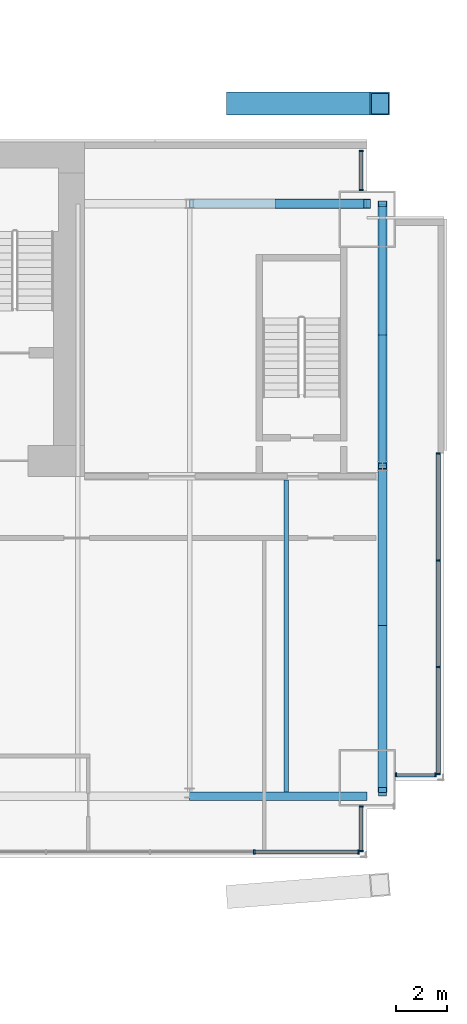
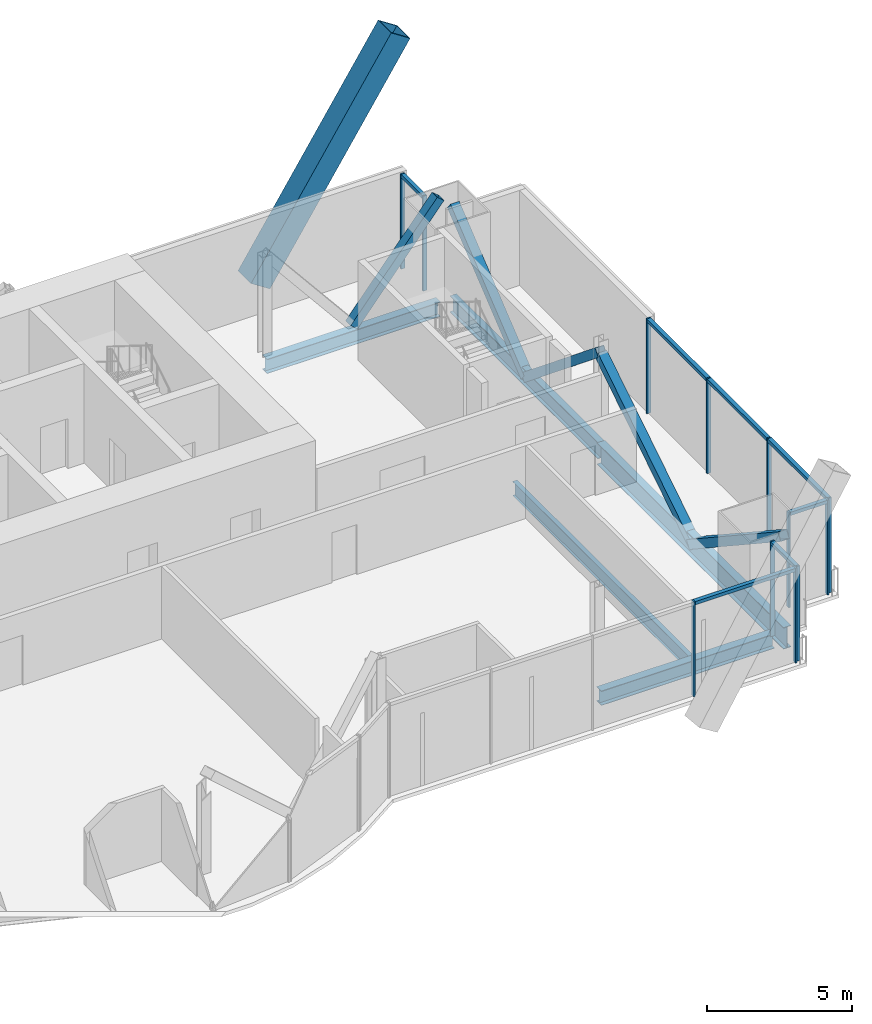
# One storey, part 11 of 19: 25 members, 5 beams, 5 elements without a shape of their own.
"""IFC4 building model written with IfcOpenShell, lengths in metres."""

from ifc_helpers import new_model, si_unit, direction, frame, origin, origin_2d, place, context, subcontext, project, spatial, rectangle, hollow_rectangle, i_section, extrude, material, material_profile, profile_set, type_object, element, aggregate, save


model = new_model("IFC4")

# Units and contexts
model_context = context("Model", 3, precision=1e-05, world=origin(), true_north=direction((0.0, 1.0)))
body_context = subcontext(model_context, "Body", "Model", "MODEL_VIEW")
ifc_project = project(units=[si_unit("LENGTHUNIT", "METRE"), si_unit("AREAUNIT", "SQUARE_METRE"), si_unit("VOLUMEUNIT", "CUBIC_METRE"), si_unit("PLANEANGLEUNIT", "RADIAN"), si_unit("MASSUNIT", "GRAM", prefix="KILO")], contexts=[model_context])

# Site, building, storey
site_placement = place(None, origin())
site = spatial("IfcSite", under=ifc_project, at=site_placement, CompositionType="ELEMENT")
building_placement = place(site_placement, origin())
building = spatial("IfcBuilding", under=site, at=building_placement, Name="Bicima Exchange Tower", CompositionType="ELEMENT")
storey_placement = place(building_placement, frame((0.0, 0.0, 283.39990234375)))
storey = spatial("IfcBuildingStorey", under=building, at=storey_placement, Name="L64", CompositionType="ELEMENT", Elevation=283.39990234375)

# Curtain wall, members
ifc_material_1 = material(Name="Anodised bronze aluminium", Category="aluminium")
curtain_wall_type_1 = type_object("IfcCurtainWallType", Name="End face glass wall", PredefinedType="NOTDEFINED", material=ifc_material_1)
curtain_wall_1_placement = place(storey_placement, origin())
curtain_wall_1 = element("IfcCurtainWall", 1, at=curtain_wall_1_placement, inside=storey, type_object=curtain_wall_type_1, Name="End face glass wall L64 run 19", PredefinedType="NOTDEFINED")
ifc_material_profile_1 = material_profile(ifc_material_1, rectangle(XDim=0.159912109375, YDim=0.06005859375, at=origin_2d()))
ifc_profile_set_1 = profile_set([ifc_material_profile_1], Name="Anodised bronze aluminium")
member_type_1 = type_object("IfcMemberType", Name="End face glass wall mullion 60 x 160", PredefinedType="MULLION", material=ifc_profile_set_1)
member_1_placement = place(storey_placement, frame((35.77001953125, -24.587890625, 0.0), z_axis=(0.0, 0.0, 1.0), x_axis=(-1.0, 0.0, 0.0)))
member_1 = element("IfcMember", 2, at=member_1_placement, type_object=member_type_1, Name="End face glass wall mullion 1", PredefinedType="MULLION", context=body_context, shape_type="SweptSolid", body=[
    extrude(rectangle(XDim=0.159912109375, YDim=0.06005859375, at=origin_2d()), origin(), (0.0, 0.0, 1.0), 4.0),
])
member_2_placement = place(storey_placement, frame((35.77001953125, -20.4287109375, 0.0), z_axis=(0.0, 0.0, 1.0), x_axis=(-1.0, 0.0, 0.0)))
member_2 = element("IfcMember", 3, at=member_2_placement, type_object=member_type_1, Name="End face glass wall mullion 2", PredefinedType="MULLION", context=body_context, shape_type="SweptSolid", body=[
    extrude(rectangle(XDim=0.159912109375, YDim=0.06005859375, at=origin_2d()), origin(), (0.0, 0.0, 1.0), 4.0),
])
member_3_placement = place(storey_placement, frame((35.77001953125, -16.269287109375, 0.0), z_axis=(0.0, 0.0, 1.0), x_axis=(-1.0, 0.0, 0.0)))
member_3 = element("IfcMember", 4, at=member_3_placement, type_object=member_type_1, Name="End face glass wall mullion 3", PredefinedType="MULLION", context=body_context, shape_type="SweptSolid", body=[
    extrude(rectangle(XDim=0.159912109375, YDim=0.06005859375, at=origin_2d()), origin(), (0.0, 0.0, 1.0), 4.0),
])
member_4_placement = place(storey_placement, frame((35.77001953125, -12.110107421875, 0.0), z_axis=(0.0, 0.0, 1.0), x_axis=(-1.0, 0.0, 0.0)))
member_4 = element("IfcMember", 5, at=member_4_placement, type_object=member_type_1, Name="End face glass wall mullion 4", PredefinedType="MULLION", context=body_context, shape_type="SweptSolid", body=[
    extrude(rectangle(XDim=0.159912109375, YDim=0.06005859375, at=origin_2d()), origin(), (0.0, 0.0, 1.0), 4.0),
])
ifc_material_profile_2 = material_profile(ifc_material_1, rectangle(XDim=0.159912109375, YDim=0.139892578125, at=origin_2d()))
ifc_profile_set_2 = profile_set([ifc_material_profile_2], Name="Anodised bronze aluminium")
member_type_2 = type_object("IfcMemberType", Name="End face glass wall transom 140 x 160", PredefinedType="USERDEFINED", material=ifc_profile_set_2)
member_5_placement = place(storey_placement, frame((35.77001953125, -24.55810546875, 3.93017578125), z_axis=(0.0, 1.0, 0.0), x_axis=(-1.0, 0.0, 0.0)))
member_5 = element("IfcMember", 6, at=member_5_placement, type_object=member_type_2, Name="End face glass wall transom 1.1", ObjectType="TRANSOM", PredefinedType="USERDEFINED", context=body_context, shape_type="SweptSolid", body=[
    extrude(rectangle(XDim=0.159912109375, YDim=0.139892578125, at=origin_2d()), origin(), (0.0, 0.0, 1.0), 4.099365234375),
])
member_6_placement = place(storey_placement, frame((35.77001953125, -20.398681640625, 3.93017578125), z_axis=(0.0, 1.0, 0.0), x_axis=(-1.0, 0.0, 0.0)))
member_6 = element("IfcMember", 7, at=member_6_placement, type_object=member_type_2, Name="End face glass wall transom 2.1", ObjectType="TRANSOM", PredefinedType="USERDEFINED", context=body_context, shape_type="SweptSolid", body=[
    extrude(rectangle(XDim=0.159912109375, YDim=0.139892578125, at=origin_2d()), origin(), (0.0, 0.0, 1.0), 4.099365234375),
])
member_7_placement = place(storey_placement, frame((35.77001953125, -16.2392578125, 3.93017578125), z_axis=(0.0, 1.0, 0.0), x_axis=(-1.0, 0.0, 0.0)))
member_7 = element("IfcMember", 8, at=member_7_placement, type_object=member_type_2, Name="End face glass wall transom 3.1", ObjectType="TRANSOM", PredefinedType="USERDEFINED", context=body_context, shape_type="SweptSolid", body=[
    extrude(rectangle(XDim=0.159912109375, YDim=0.139892578125, at=origin_2d()), origin(), (0.0, 0.0, 1.0), 4.099365234375),
])
aggregate(curtain_wall_1, [member_1, member_2, member_3, member_4, member_5, member_6, member_7])

# Beams
ifc_material_2 = material(Name="Steel ASTM A992 Gr 50", Category="steel")
ifc_material_profile_3 = material_profile(ifc_material_2, i_section(OverallWidth=0.256591796875, OverallDepth=0.693359375, WebThickness=0.014404296875, FlangeThickness=0.023681640625, at=origin_2d()))
ifc_profile_set_3 = profile_set([ifc_material_profile_3], Name="Steel ASTM A992 Gr 50")
beam_type_1 = type_object("IfcBeamType", Name="End girder W27x114", PredefinedType="BEAM", material=ifc_profile_set_3)
beam_1_placement = place(storey_placement, frame((33.60009765625, -2.39990234375, -0.49658203125), z_axis=(0.0, -1.0, 0.0), x_axis=(1.0, 0.0, 0.0)))
element("IfcBeam", 9, at=beam_1_placement, inside=storey, type_object=beam_type_1, Name="End girder", PredefinedType="BEAM", context=body_context, shape_type="SweptSolid", body=[
    extrude(i_section(OverallWidth=0.256591796875, OverallDepth=0.693359375, WebThickness=0.014404296875, FlangeThickness=0.023681640625, at=origin_2d()), origin(), (0.0, 0.0, 1.0), 10.2001953125),
])
ifc_material_profile_4 = material_profile(ifc_material_2, i_section(OverallWidth=0.3046875, OverallDepth=0.911865234375, WebThickness=0.015869140625, FlangeThickness=0.02392578125, at=origin_2d()))
ifc_profile_set_4 = profile_set([ifc_material_profile_4], Name="Steel ASTM A992 Gr 50")
beam_type_2 = type_object("IfcBeamType", Name="End girder W36x150", PredefinedType="BEAM", material=ifc_profile_set_4)
beam_2_placement = place(storey_placement, frame((33.60009765625, -12.60009765625, -0.605712890625), z_axis=(0.0, -1.0, 0.0), x_axis=(1.0, 0.0, 0.0)))
element("IfcBeam", 10, at=beam_2_placement, inside=storey, type_object=beam_type_2, Name="End girder", PredefinedType="BEAM", context=body_context, shape_type="SweptSolid", body=[
    extrude(i_section(OverallWidth=0.3046875, OverallDepth=0.911865234375, WebThickness=0.015869140625, FlangeThickness=0.02392578125, at=origin_2d()), origin(), (0.0, 0.0, 1.0), 12.847900390625),
])

# Member
ifc_material_3 = material(Name="Steel ASTM A572 Gr 50", Category="steel")
ifc_material_profile_5 = material_profile(ifc_material_3, hollow_rectangle(XDim=0.89990234375, YDim=0.89990234375, WallThickness=0.050048828125, at=origin_2d()))
ifc_profile_set_5 = profile_set([ifc_material_profile_5], Name="Steel ASTM A572 Gr 50")
member_type_3 = type_object("IfcMemberType", Name="Exo mega brace BOX 900x900x50", PredefinedType="BRACE", material=ifc_profile_set_5)
member_8_placement = place(storey_placement, frame((27.916748046875, 1.5, 0.10009765625), z_axis=(0.544521263137, 0.0, 0.838747038142), x_axis=(0.0, 1.0, 0.0)))
element("IfcMember", 11, at=member_8_placement, inside=storey, type_object=member_type_3, Name="Exo mega brace rear", PredefinedType="BRACE", context=body_context, shape_type="SweptSolid", body=[
    extrude(hollow_rectangle(XDim=0.89990234375, YDim=0.89990234375, WallThickness=0.050048828125, at=origin_2d()), origin(), (0.0, 0.0, 1.0), 10.25341796875),
])

# Beams
ifc_material_profile_6 = material_profile(ifc_material_2, i_section(OverallWidth=0.177978515625, OverallDepth=0.599365234375, WebThickness=0.010009765625, FlangeThickness=0.012939453125, at=origin_2d()))
ifc_profile_set_6 = profile_set([ifc_material_profile_6], Name="Steel ASTM A992 Gr 50")
beam_type_3 = type_object("IfcBeamType", Name="Floor beam W24x55", PredefinedType="JOIST", material=ifc_profile_set_6)
beam_3_placement = place(storey_placement, frame((29.85009765625, -13.15234375, -0.44970703125), z_axis=(0.0, -1.0, 0.0), x_axis=(1.0, 0.0, 0.0)))
element("IfcBeam", 12, at=beam_3_placement, inside=storey, type_object=beam_type_3, Name="Floor beam", PredefinedType="JOIST", context=body_context, shape_type="SweptSolid", body=[
    extrude(i_section(OverallWidth=0.177978515625, OverallDepth=0.599365234375, WebThickness=0.010009765625, FlangeThickness=0.012939453125, at=origin_2d()), origin(), (0.0, 0.0, 1.0), 12.133056640625),
])
ifc_material_profile_7 = material_profile(ifc_material_2, i_section(OverallWidth=0.3251953125, OverallDepth=0.612060546875, WebThickness=0.0126953125, FlangeThickness=0.01904296875, at=origin_2d()))
ifc_profile_set_7 = profile_set([ifc_material_profile_7], Name="Steel ASTM A992 Gr 50")
beam_type_4 = type_object("IfcBeamType", Name="Front girder W24x104", PredefinedType="BEAM", material=ifc_profile_set_7)
beam_4_placement = place(storey_placement, frame((26.10009765625, -25.447998046875, -0.4560546875), z_axis=(1.0, 0.0, 0.0), x_axis=(0.0, 1.0, 0.0)))
element("IfcBeam", 13, at=beam_4_placement, inside=storey, type_object=beam_type_4, Name="Front girder", PredefinedType="BEAM", context=body_context, shape_type="SweptSolid", body=[
    extrude(i_section(OverallWidth=0.3251953125, OverallDepth=0.612060546875, WebThickness=0.0126953125, FlangeThickness=0.01904296875, at=origin_2d()), origin(), (0.0, 0.0, 1.0), 6.89990234375),
])

# Curtain wall, members
curtain_wall_type_2 = type_object("IfcCurtainWallType", Name="Front glass wall", PredefinedType="NOTDEFINED", material=ifc_material_1)
curtain_wall_2_placement = place(storey_placement, origin())
curtain_wall_2 = element("IfcCurtainWall", 14, at=curtain_wall_2_placement, inside=storey, type_object=curtain_wall_type_2, Name="Front glass wall L64 run 16", PredefinedType="NOTDEFINED")
member_type_4 = type_object("IfcMemberType", Name="Front glass wall mullion 60 x 160", PredefinedType="MULLION", material=ifc_profile_set_1)
member_9_placement = place(storey_placement, frame((28.610595703125, -27.617919921875, 0.0), z_axis=(0.0, 0.0, 1.0), x_axis=(0.0, 1.0, 0.0)))
member_9 = element("IfcMember", 15, at=member_9_placement, type_object=member_type_4, Name="Front glass wall mullion 4", PredefinedType="MULLION", context=body_context, shape_type="SweptSolid", body=[
    extrude(rectangle(XDim=0.159912109375, YDim=0.06005859375, at=origin_2d()), origin(), (0.0, 0.0, 1.0), 4.0),
])
member_10_placement = place(storey_placement, frame((32.659912109375, -27.617919921875, 0.0), z_axis=(0.0, 0.0, 1.0), x_axis=(0.0, 1.0, 0.0)))
member_10 = element("IfcMember", 16, at=member_10_placement, type_object=member_type_4, Name="Front glass wall mullion 5", PredefinedType="MULLION", context=body_context, shape_type="SweptSolid", body=[
    extrude(rectangle(XDim=0.159912109375, YDim=0.06005859375, at=origin_2d()), origin(), (0.0, 0.0, 1.0), 4.0),
])

curtain_wall_3_placement = place(storey_placement, origin())
curtain_wall_3 = element("IfcCurtainWall", 17, at=curtain_wall_3_placement, inside=storey, type_object=curtain_wall_type_2, Name="Front glass wall L64 run 17", PredefinedType="NOTDEFINED")
member_11_placement = place(storey_placement, frame((32.77001953125, -27.587890625, 0.0), z_axis=(0.0, 0.0, 1.0), x_axis=(-1.0, 0.0, 0.0)))
member_11 = element("IfcMember", 18, at=member_11_placement, type_object=member_type_4, Name="Front glass wall mullion 1", PredefinedType="MULLION", context=body_context, shape_type="SweptSolid", body=[
    extrude(rectangle(XDim=0.159912109375, YDim=0.06005859375, at=origin_2d()), origin(), (0.0, 0.0, 1.0), 4.0),
])
member_12_placement = place(storey_placement, frame((32.77001953125, -25.85595703125, 0.0), z_axis=(0.0, 0.0, 1.0), x_axis=(-1.0, 0.0, 0.0)))
member_12 = element("IfcMember", 19, at=member_12_placement, type_object=member_type_4, Name="Front glass wall mullion 2", PredefinedType="MULLION", context=body_context, shape_type="SweptSolid", body=[
    extrude(rectangle(XDim=0.159912109375, YDim=0.06005859375, at=origin_2d()), origin(), (0.0, 0.0, 1.0), 4.0),
])

curtain_wall_4_placement = place(storey_placement, origin())
curtain_wall_4 = element("IfcCurtainWall", 20, at=curtain_wall_4_placement, inside=storey, type_object=curtain_wall_type_2, Name="Front glass wall L64 run 18", PredefinedType="NOTDEFINED")
member_13_placement = place(storey_placement, frame((34.1298828125, -24.617919921875, 0.0), z_axis=(0.0, 0.0, 1.0), x_axis=(0.0, 1.0, 0.0)))
member_13 = element("IfcMember", 21, at=member_13_placement, type_object=member_type_4, Name="Front glass wall mullion 1", PredefinedType="MULLION", context=body_context, shape_type="SweptSolid", body=[
    extrude(rectangle(XDim=0.159912109375, YDim=0.06005859375, at=origin_2d()), origin(), (0.0, 0.0, 1.0), 4.0),
])
member_14_placement = place(storey_placement, frame((35.659912109375, -24.617919921875, 0.0), z_axis=(0.0, 0.0, 1.0), x_axis=(0.0, 1.0, 0.0)))
member_14 = element("IfcMember", 22, at=member_14_placement, type_object=member_type_4, Name="Front glass wall mullion 2", PredefinedType="MULLION", context=body_context, shape_type="SweptSolid", body=[
    extrude(rectangle(XDim=0.159912109375, YDim=0.06005859375, at=origin_2d()), origin(), (0.0, 0.0, 1.0), 4.0),
])

curtain_wall_5_placement = place(storey_placement, origin())
curtain_wall_5 = element("IfcCurtainWall", 23, at=curtain_wall_5_placement, inside=storey, type_object=curtain_wall_type_2, Name="Front glass wall L64 run 20", PredefinedType="NOTDEFINED")
member_15_placement = place(storey_placement, frame((32.77001953125, -1.8701171875, 0.0), z_axis=(0.0, 0.0, 1.0), x_axis=(-1.0, 0.0, 0.0)))
member_15 = element("IfcMember", 24, at=member_15_placement, type_object=member_type_4, Name="Front glass wall mullion 1", PredefinedType="MULLION", context=body_context, shape_type="SweptSolid", body=[
    extrude(rectangle(XDim=0.159912109375, YDim=0.06005859375, at=origin_2d()), origin(), (0.0, 0.0, 1.0), 4.0),
])
member_16_placement = place(storey_placement, frame((32.77001953125, -0.340087890625, 0.0), z_axis=(0.0, 0.0, 1.0), x_axis=(-1.0, 0.0, 0.0)))
member_16 = element("IfcMember", 25, at=member_16_placement, type_object=member_type_4, Name="Front glass wall mullion 2", PredefinedType="MULLION", context=body_context, shape_type="SweptSolid", body=[
    extrude(rectangle(XDim=0.159912109375, YDim=0.06005859375, at=origin_2d()), origin(), (0.0, 0.0, 1.0), 4.0),
])

# Member
member_type_5 = type_object("IfcMemberType", Name="Front glass wall transom 140 x 160", PredefinedType="USERDEFINED", material=ifc_profile_set_2)
member_17_placement = place(storey_placement, frame((28.640380859375, -27.617919921875, 3.93017578125), z_axis=(1.0, 0.0, 0.0), x_axis=(0.0, 1.0, 0.0)))
member_17 = element("IfcMember", 26, at=member_17_placement, type_object=member_type_5, Name="Front glass wall transom 4.1", ObjectType="TRANSOM", PredefinedType="USERDEFINED", context=body_context, shape_type="SweptSolid", body=[
    extrude(rectangle(XDim=0.159912109375, YDim=0.139892578125, at=origin_2d()), origin(), (0.0, 0.0, 1.0), 3.989501953125),
])

aggregate(curtain_wall_2, [member_9, member_10, member_17])

member_18_placement = place(storey_placement, frame((32.77001953125, -27.55810546875, 3.93017578125), z_axis=(0.0, 1.0, 0.0), x_axis=(-1.0, 0.0, 0.0)))
member_18 = element("IfcMember", 27, at=member_18_placement, type_object=member_type_5, Name="Front glass wall transom 1.1", ObjectType="TRANSOM", PredefinedType="USERDEFINED", context=body_context, shape_type="SweptSolid", body=[
    extrude(rectangle(XDim=0.159912109375, YDim=0.139892578125, at=origin_2d()), origin(), (0.0, 0.0, 1.0), 1.672119140625),
])

aggregate(curtain_wall_3, [member_11, member_12, member_18])

member_19_placement = place(storey_placement, frame((34.159912109375, -24.617919921875, 3.93017578125), z_axis=(1.0, 0.0, 0.0), x_axis=(0.0, 1.0, 0.0)))
member_19 = element("IfcMember", 28, at=member_19_placement, type_object=member_type_5, Name="Front glass wall transom 1.1", ObjectType="TRANSOM", PredefinedType="USERDEFINED", context=body_context, shape_type="SweptSolid", body=[
    extrude(rectangle(XDim=0.159912109375, YDim=0.139892578125, at=origin_2d()), origin(), (0.0, 0.0, 1.0), 1.469970703125),
])

aggregate(curtain_wall_4, [member_13, member_14, member_19])

member_20_placement = place(storey_placement, frame((32.77001953125, -1.840087890625, 3.93017578125), z_axis=(0.0, 1.0, 0.0), x_axis=(-1.0, 0.0, 0.0)))
member_20 = element("IfcMember", 29, at=member_20_placement, type_object=member_type_5, Name="Front glass wall transom 1.1", ObjectType="TRANSOM", PredefinedType="USERDEFINED", context=body_context, shape_type="SweptSolid", body=[
    extrude(rectangle(XDim=0.159912109375, YDim=0.139892578125, at=origin_2d()), origin(), (0.0, 0.0, 1.0), 1.469970703125),
])

aggregate(curtain_wall_5, [member_15, member_16, member_20])

# Members
ifc_material_profile_8 = material_profile(ifc_material_3, hollow_rectangle(XDim=0.355712890625, YDim=0.355712890625, WallThickness=0.0146484375, at=origin_2d()))
ifc_profile_set_8 = profile_set([ifc_material_profile_8], Name="Steel ASTM A572 Gr 50")
member_type_6 = type_object("IfcMemberType", Name="Mega brace HSS14x14x5/8", PredefinedType="BRACE", material=ifc_profile_set_8)
member_21_placement = place(storey_placement, frame((29.550048828125, -2.39990234375, 0.0), z_axis=(0.634716434539, 0.0, 0.772745137627), x_axis=(0.0, 1.0, 0.0)))
element("IfcMember", 30, at=member_21_placement, inside=storey, type_object=member_type_6, Name="Mega brace rear", PredefinedType="BRACE", context=body_context, shape_type="SweptSolid", body=[
    extrude(hollow_rectangle(XDim=0.355712890625, YDim=0.355712890625, WallThickness=0.0146484375, at=origin_2d()), origin(), (0.0, 0.0, 1.0), 5.435302734375),
])
for number, where, z_axis, x_axis, name in (
    (31, (33.60009765625, -7.5, -0.49658203125), (0.0, -0.775661766358, 0.631148813047), (1.0, 0.0, 0.0), "Mega brace east end"),
    (32, (33.60009765625, -7.5, -0.49658203125), (0.0, 0.775661766358, 0.631148813047), (-1.0, 0.0, 0.0), "Mega brace east end"),
):
    element("IfcMember", number, at=place(storey_placement, frame(where, z_axis=z_axis, x_axis=x_axis)), inside=storey, type_object=member_type_6, Name=name, PredefinedType="BRACE", context=body_context, shape_type="SweptSolid", body=[
        extrude(hollow_rectangle(XDim=0.355712890625, YDim=0.355712890625, WallThickness=0.0146484375, at=origin_2d()), origin(), (0.0, 0.0, 1.0), 6.5751953125),
    ])
member_22_placement = place(storey_placement, frame((33.60009765625, -18.902099609375, -0.605712890625), z_axis=(0.0, -0.835182826621, 0.54997240487), x_axis=(1.0, 0.0, 0.0)))
element("IfcMember", 33, at=member_22_placement, inside=storey, type_object=member_type_6, Name="Mega brace east end", PredefinedType="BRACE", context=body_context, shape_type="SweptSolid", body=[
    extrude(hollow_rectangle(XDim=0.355712890625, YDim=0.355712890625, WallThickness=0.0146484375, at=origin_2d()), origin(), (0.0, 0.0, 1.0), 7.545654296875),
])
member_23_placement = place(storey_placement, frame((33.60009765625, -19.14599609375, -0.605712890625), z_axis=(0.0, 0.844575981866, 0.535435720564), x_axis=(-1.0, 0.0, 0.0)))
element("IfcMember", 34, at=member_23_placement, inside=storey, type_object=member_type_6, Name="Mega brace east end", PredefinedType="BRACE", context=body_context, shape_type="SweptSolid", body=[
    extrude(hollow_rectangle(XDim=0.355712890625, YDim=0.355712890625, WallThickness=0.0146484375, at=origin_2d()), origin(), (0.0, 0.0, 1.0), 7.75048828125),
])

# Beam
beam_type_5 = type_object("IfcBeamType", Name="Rear girder W24x104", PredefinedType="BEAM", material=ifc_profile_set_7)
beam_5_placement = place(storey_placement, frame((26.10009765625, -2.39990234375, -0.4560546875), z_axis=(1.0, 0.0, 0.0), x_axis=(0.0, 1.0, 0.0)))
element("IfcBeam", 35, at=beam_5_placement, inside=storey, type_object=beam_type_5, Name="Rear girder", PredefinedType="BEAM", context=body_context, shape_type="SweptSolid", body=[
    extrude(i_section(OverallWidth=0.3251953125, OverallDepth=0.612060546875, WebThickness=0.0126953125, FlangeThickness=0.01904296875, at=origin_2d()), origin(), (0.0, 0.0, 1.0), 6.89990234375),
])

save(model, "model.ifc")
